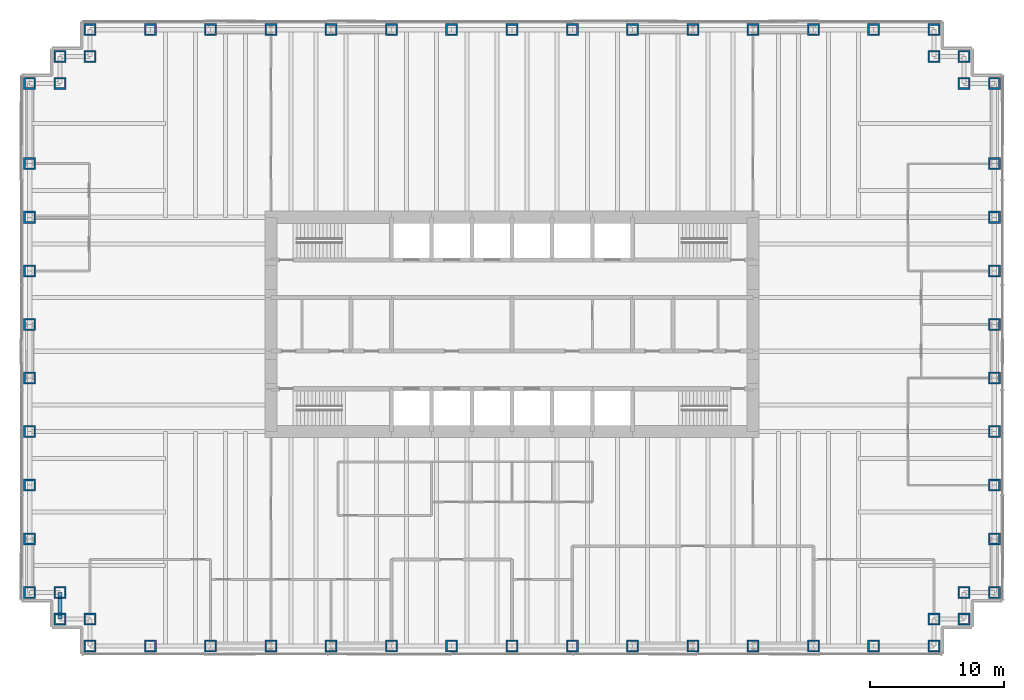
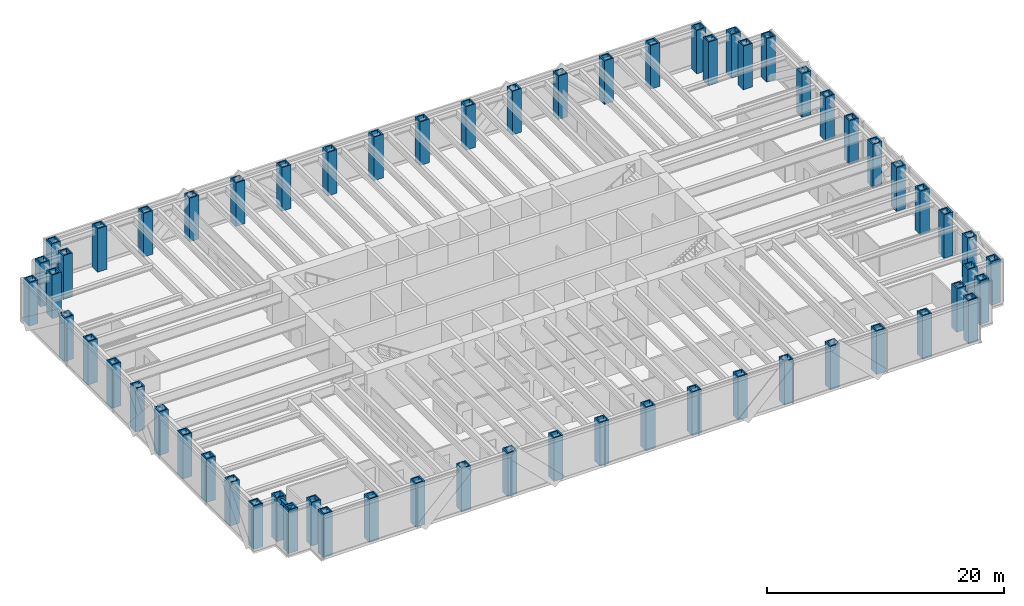
# One storey, part 1 of 13: 62 columns, 1 beam.
"""IFC4 building model written with IfcOpenShell, lengths in metres."""

from ifc_helpers import new_model, si_unit, direction, frame, origin, origin_2d, place, context, subcontext, project, spatial, hollow_rectangle, i_section, extrude, material, material_profile, profile_set, type_object, element, save


model = new_model("IFC4")

# Units and contexts
model_context = context("Model", 3, precision=1e-05, world=origin(), true_north=direction((0.0, 1.0)))
body_context = subcontext(model_context, "Body", "Model", "MODEL_VIEW")
ifc_project = project(units=[si_unit("LENGTHUNIT", "METRE"), si_unit("AREAUNIT", "SQUARE_METRE"), si_unit("VOLUMEUNIT", "CUBIC_METRE"), si_unit("PLANEANGLEUNIT", "RADIAN"), si_unit("MASSUNIT", "GRAM", prefix="KILO")], contexts=[model_context])

# Site, building, storey
site_placement = place(None, origin())
site = spatial("IfcSite", under=ifc_project, at=site_placement, CompositionType="ELEMENT")
building_placement = place(site_placement, origin())
building = spatial("IfcBuilding", under=site, at=building_placement, Name="Rheinbord Bourse Tower", CompositionType="ELEMENT")
storey_placement = place(building_placement, frame((0.0, 0.0, 41.0)))
storey = spatial("IfcBuildingStorey", under=building, at=storey_placement, Name="L08", CompositionType="ELEMENT", Elevation=41.0)

# Columns
ifc_material_1 = material(Name="Steel S460M", Category="steel")
ifc_material_profile_1 = material_profile(ifc_material_1, hollow_rectangle(XDim=0.89990234375, YDim=0.89990234375, WallThickness=0.1201171875, at=origin_2d()), Name="BOX 900x900x120")
ifc_profile_set_1 = profile_set([ifc_material_profile_1], Name="Steel S460M")
column_type = type_object("IfcColumnType", Name="TUBE COLUMN BOX 900x900x120", PredefinedType="COLUMN", material=ifc_profile_set_1)
for number, where, z_axis, x_axis, name in (
    (1, (4.5, 0.0, 0.0), (0.0, 0.0, 1.0), (0.0, 1.0, 0.0), "Column SW-E L08"),
    (2, (9.0, 0.0, 0.0), (0.0, 0.0, 1.0), (0.0, 1.0, 0.0), "Column S-9 L08"),
    (3, (13.5, 0.0, 0.0), (0.0, 0.0, 1.0), (0.0, 1.0, 0.0), "Column S-13.5 L08"),
    (4, (18.0, 0.0, 0.0), (0.0, 0.0, 1.0), (0.0, 1.0, 0.0), "Column S-18 L08"),
    (5, (22.5, 0.0, 0.0), (0.0, 0.0, 1.0), (0.0, 1.0, 0.0), "Column S-22.5 L08"),
    (6, (27.0, 0.0, 0.0), (0.0, 0.0, 1.0), (0.0, 1.0, 0.0), "Column S-27 L08"),
    (7, (31.5, 0.0, 0.0), (0.0, 0.0, 1.0), (0.0, 1.0, 0.0), "Column S-31.5 L08"),
    (8, (36.0, 0.0, 0.0), (0.0, 0.0, 1.0), (0.0, 1.0, 0.0), "Column S-36 L08"),
    (9, (40.5, 0.0, 0.0), (0.0, 0.0, 1.0), (0.0, 1.0, 0.0), "Column S-40.5 L08"),
    (10, (45.0, 0.0, 0.0), (0.0, 0.0, 1.0), (0.0, 1.0, 0.0), "Column S-45 L08"),
    (11, (49.5, 0.0, 0.0), (0.0, 0.0, 1.0), (0.0, 1.0, 0.0), "Column S-49.5 L08"),
    (12, (54.0, 0.0, 0.0), (0.0, 0.0, 1.0), (0.0, 1.0, 0.0), "Column S-54 L08"),
    (13, (58.5, 0.0, 0.0), (0.0, 0.0, 1.0), (0.0, 1.0, 0.0), "Column S-58.5 L08"),
    (14, (63.0, 0.0, 0.0), (0.0, 0.0, 1.0), (0.0, 1.0, 0.0), "Column S-63 L08"),
    (15, (67.5, 0.0, 0.0), (0.0, 0.0, 1.0), (0.0, 1.0, 0.0), "Column SE-E L08"),
    (16, (67.5, 2.0, 0.0), (0.0, 0.0, 1.0), (0.0, 1.0, 0.0), "Column SE-D L08"),
    (17, (69.75, 2.0, 0.0), (0.0, 0.0, 1.0), (1.0, 0.0, 0.0), "Column SE-C L08"),
    (18, (69.75, 4.0, 0.0), (0.0, 0.0, 1.0), (1.0, 0.0, 0.0), "Column SE-B L08"),
    (19, (72.0, 4.0, 0.0), (0.0, 0.0, 1.0), (1.0, 0.0, 0.0), "Column SE-A L08"),
    (20, (72.0, 8.0, 0.0), (0.0, 0.0, 1.0), (1.0, 0.0, 0.0), "Column E-8 L08"),
    (21, (72.0, 12.0, 0.0), (0.0, 0.0, 1.0), (1.0, 0.0, 0.0), "Column E-12 L08"),
    (22, (72.0, 16.0, 0.0), (0.0, 0.0, 1.0), (1.0, 0.0, 0.0), "Column E-16 L08"),
    (23, (72.0, 20.0, 0.0), (0.0, 0.0, 1.0), (1.0, 0.0, 0.0), "Column E-20 L08"),
    (24, (72.0, 24.0, 0.0), (0.0, 0.0, 1.0), (1.0, 0.0, 0.0), "Column E-24 L08"),
    (25, (72.0, 28.0, 0.0), (0.0, 0.0, 1.0), (1.0, 0.0, 0.0), "Column E-28 L08"),
    (26, (72.0, 32.0, 0.0), (0.0, 0.0, 1.0), (1.0, 0.0, 0.0), "Column E-32 L08"),
    (27, (72.0, 36.0, 0.0), (0.0, 0.0, 1.0), (1.0, 0.0, 0.0), "Column E-36 L08"),
    (28, (72.0, 42.0, 0.0), (0.0, 0.0, 1.0), (1.0, 0.0, 0.0), "Column NE-A L08"),
    (29, (69.75, 42.0, 0.0), (0.0, 0.0, 1.0), (1.0, 0.0, 0.0), "Column NE-B L08"),
    (30, (69.75, 44.0, 0.0), (0.0, 0.0, 1.0), (1.0, 0.0, 0.0), "Column NE-C L08"),
    (31, (67.5, 44.0, 0.0), (0.0, 0.0, 1.0), (0.0, 1.0, 0.0), "Column NE-D L08"),
    (32, (67.5, 46.0, 0.0), (0.0, 0.0, 1.0), (0.0, 1.0, 0.0), "Column NE-E L08"),
    (33, (63.0, 46.0, 0.0), (0.0, 0.0, 1.0), (0.0, 1.0, 0.0), "Column N-63 L08"),
    (34, (58.5, 46.0, 0.0), (0.0, 0.0, 1.0), (0.0, 1.0, 0.0), "Column N-58.5 L08"),
    (35, (54.0, 46.0, 0.0), (0.0, 0.0, 1.0), (0.0, 1.0, 0.0), "Column N-54 L08"),
    (36, (49.5, 46.0, 0.0), (0.0, 0.0, 1.0), (0.0, 1.0, 0.0), "Column N-49.5 L08"),
    (37, (45.0, 46.0, 0.0), (0.0, 0.0, 1.0), (0.0, 1.0, 0.0), "Column N-45 L08"),
    (38, (40.5, 46.0, 0.0), (0.0, 0.0, 1.0), (0.0, 1.0, 0.0), "Column N-40.5 L08"),
    (39, (36.0, 46.0, 0.0), (0.0, 0.0, 1.0), (0.0, 1.0, 0.0), "Column N-36 L08"),
    (40, (31.5, 46.0, 0.0), (0.0, 0.0, 1.0), (0.0, 1.0, 0.0), "Column N-31.5 L08"),
    (41, (27.0, 46.0, 0.0), (0.0, 0.0, 1.0), (0.0, 1.0, 0.0), "Column N-27 L08"),
    (42, (22.5, 46.0, 0.0), (0.0, 0.0, 1.0), (0.0, 1.0, 0.0), "Column N-22.5 L08"),
    (43, (18.0, 46.0, 0.0), (0.0, 0.0, 1.0), (0.0, 1.0, 0.0), "Column N-18 L08"),
    (44, (13.5, 46.0, 0.0), (0.0, 0.0, 1.0), (0.0, 1.0, 0.0), "Column N-13.5 L08"),
    (45, (9.0, 46.0, 0.0), (0.0, 0.0, 1.0), (0.0, 1.0, 0.0), "Column N-9 L08"),
    (46, (4.5, 46.0, 0.0), (0.0, 0.0, 1.0), (0.0, 1.0, 0.0), "Column NW-E L08"),
    (47, (4.5, 44.0, 0.0), (0.0, 0.0, 1.0), (0.0, 1.0, 0.0), "Column NW-D L08"),
    (48, (2.25, 44.0, 0.0), (0.0, 0.0, 1.0), (1.0, 0.0, 0.0), "Column NW-C L08"),
    (49, (2.25, 42.0, 0.0), (0.0, 0.0, 1.0), (1.0, 0.0, 0.0), "Column NW-B L08"),
    (50, (0.0, 42.0, 0.0), (0.0, 0.0, 1.0), (1.0, 0.0, 0.0), "Column NW-A L08"),
    (51, (0.0, 36.0, 0.0), (0.0, 0.0, 1.0), (1.0, 0.0, 0.0), "Column W-36 L08"),
    (52, (0.0, 32.0, 0.0), (0.0, 0.0, 1.0), (1.0, 0.0, 0.0), "Column W-32 L08"),
    (53, (0.0, 28.0, 0.0), (0.0, 0.0, 1.0), (1.0, 0.0, 0.0), "Column W-28 L08"),
    (54, (0.0, 24.0, 0.0), (0.0, 0.0, 1.0), (1.0, 0.0, 0.0), "Column W-24 L08"),
    (55, (0.0, 20.0, 0.0), (0.0, 0.0, 1.0), (1.0, 0.0, 0.0), "Column W-20 L08"),
    (56, (0.0, 16.0, 0.0), (0.0, 0.0, 1.0), (1.0, 0.0, 0.0), "Column W-16 L08"),
    (57, (0.0, 12.0, 0.0), (0.0, 0.0, 1.0), (1.0, 0.0, 0.0), "Column W-12 L08"),
    (58, (0.0, 8.0, 0.0), (0.0, 0.0, 1.0), (1.0, 0.0, 0.0), "Column W-8 L08"),
    (59, (0.0, 4.0, 0.0), (0.0, 0.0, 1.0), (1.0, 0.0, 0.0), "Column SW-A L08"),
    (60, (2.25, 4.0, 0.0), (0.0, 0.0, 1.0), (1.0, 0.0, 0.0), "Column SW-B L08"),
    (61, (2.25, 2.0, 0.0), (0.0, 0.0, 1.0), (1.0, 0.0, 0.0), "Column SW-C L08"),
    (62, (4.5, 2.0, 0.0), (0.0, 0.0, 1.0), (0.0, 1.0, 0.0), "Column SW-D L08"),
):
    element("IfcColumn", number, at=place(storey_placement, frame(where, z_axis=z_axis, x_axis=x_axis)), inside=storey, type_object=column_type, Name=name, PredefinedType="COLUMN", context=body_context, shape_type="SweptSolid", body=[
        extrude(hollow_rectangle(XDim=0.89990234375, YDim=0.89990234375, WallThickness=0.1201171875, at=origin_2d()), origin(), (0.0, 0.0, 1.0), 4.5),
    ])

# Beam
ifc_material_2 = material(Name="Steel S460", Category="steel")
ifc_material_profile_2 = material_profile(ifc_material_2, i_section(OverallWidth=0.304931640625, OverallDepth=0.6201171875, WebThickness=0.02099609375, FlangeThickness=0.0400390625, at=origin_2d()), Name="HEM 600")
ifc_profile_set_2 = profile_set([ifc_material_profile_2], Name="Steel S460")
beam_type = type_object("IfcBeamType", Name="SPANDREL HEM 600", PredefinedType="SPANDREL", material=ifc_profile_set_2)
beam_placement = place(storey_placement, frame((2.25, 4.0, 4.010009765625), z_axis=(0.0, -1.0, 0.0), x_axis=(1.0, 0.0, 0.0)))
element("IfcBeam", 63, at=beam_placement, inside=storey, type_object=beam_type, Name="Spandrel SW-B-SW-C under L09", PredefinedType="SPANDREL", context=body_context, shape_type="SweptSolid", body=[
    extrude(i_section(OverallWidth=0.304931640625, OverallDepth=0.6201171875, WebThickness=0.02099609375, FlangeThickness=0.0400390625, at=origin_2d()), origin(), (0.0, 0.0, 1.0), 2.0),
])

save(model, "model.ifc")
